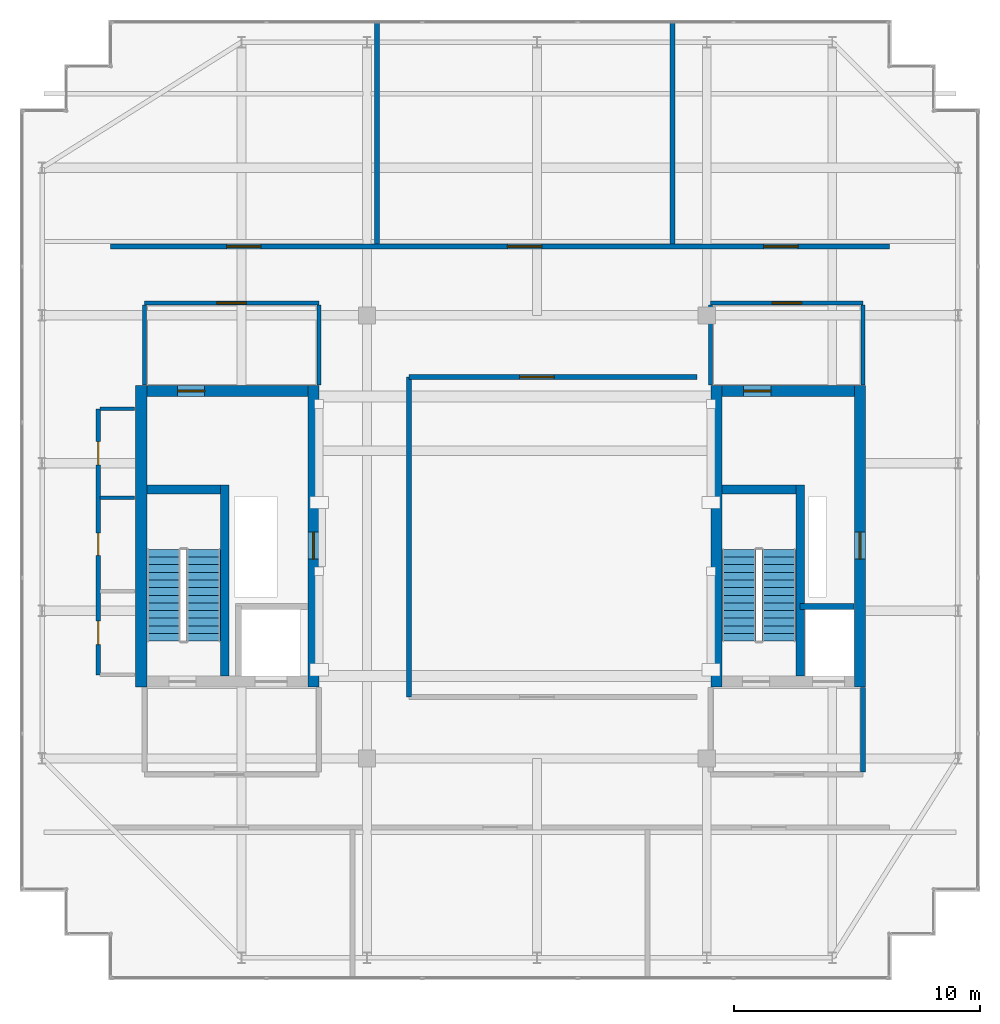
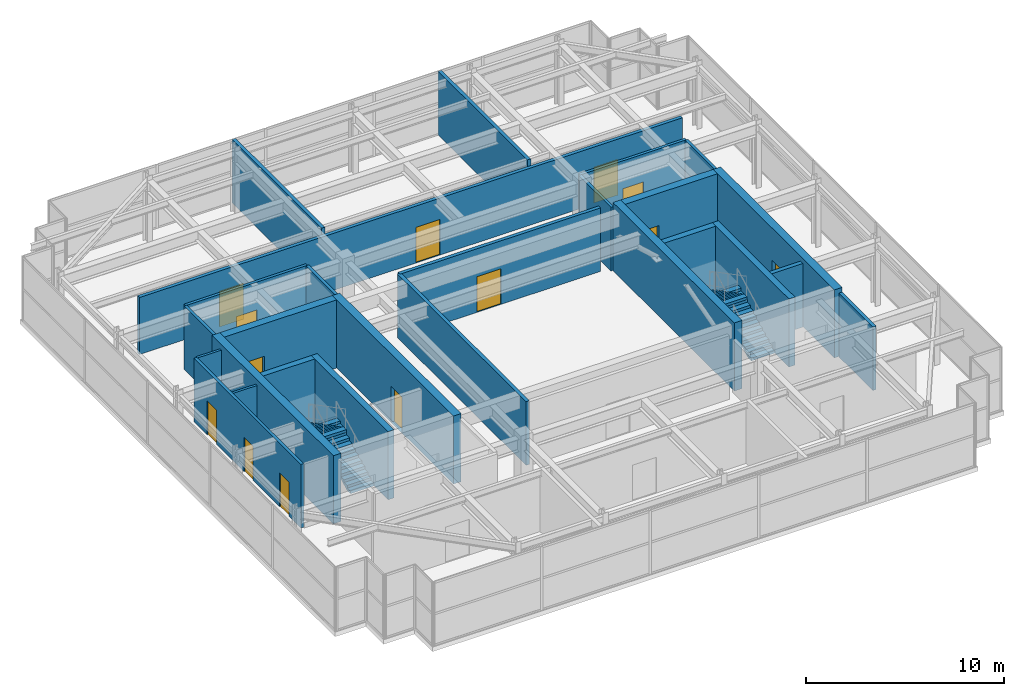
# One storey, part 31 of 32: 26 walls, 13 doors, 4 stair flights, 13 openings, 2 elements without a shape of their own.
"""IFC4 building model written with IfcOpenShell, lengths in metres."""

from ifc_helpers import new_model, si_unit, direction, frame, frame_2d, origin, place, context, subcontext, project, spatial, polyline, rectangle, outline, extrude, source, transform, mapped, material, layer, layer_set, type_object, element, fill, aggregate, save


model = new_model("IFC4")

# Units and contexts
model_context = context("Model", 3, precision=1e-05, world=origin(), true_north=direction((0.0, 1.0)))
body_context = subcontext(model_context, "Body", "Model", "MODEL_VIEW")
ifc_project = project(units=[si_unit("LENGTHUNIT", "METRE"), si_unit("AREAUNIT", "SQUARE_METRE"), si_unit("VOLUMEUNIT", "CUBIC_METRE"), si_unit("PLANEANGLEUNIT", "RADIAN"), si_unit("MASSUNIT", "GRAM", prefix="KILO")], contexts=[model_context])

# Site, building, storey
site_placement = place(None, origin())
site = spatial("IfcSite", under=ifc_project, at=site_placement, CompositionType="ELEMENT")
building_placement = place(site_placement, origin())
building = spatial("IfcBuilding", under=site, at=building_placement, Name="Khoralis Quay Care Tower", CompositionType="ELEMENT")
storey_placement = place(building_placement, frame((0.0, 0.0, 297.89990234375)))
storey = spatial("IfcBuildingStorey", under=building, at=storey_placement, Name="L78", CompositionType="ELEMENT", Elevation=297.89990234375)

# Wall
ifc_material_1 = material(Name="Gypsum plasterboard on acoustic metal stud")
ifc_layer_1 = layer(ifc_material_1, 0.199951171875)
ifc_layer_set_1 = layer_set([ifc_layer_1], Name="Gypsum plasterboard on acoustic metal stud")
wall_type_1 = type_object("IfcWallType", Name="WL-COMP-200", PredefinedType="PARTITIONING", material=ifc_layer_set_1)
wall_1_placement = place(storey_placement, frame((37.25, 11.445068359375, 0.0), z_axis=(0.0, 0.0, 1.0), x_axis=(0.0, 1.0, 0.0)))
element("IfcWall", 1, at=wall_1_placement, inside=storey, type_object=wall_type_1, Name="L78 East Firefighting Lobby East Wall", PredefinedType="PARTITIONING", context=body_context, shape_type="SweptSolid", body=[
    extrude(rectangle(XDim=3.434814453125, YDim=0.199951171875, at=frame_2d((1.71728515625, 0.0))), origin(), (0.0, 0.0, 1.0), 3.920166015625),
])

# Wall, openings, doors
wall_2_placement = place(storey_placement, frame((6.679931640625, 32.800048828125, 0.0), z_axis=(0.0, 0.0, 1.0), x_axis=(1.0, 0.0, 0.0)))
wall_2 = element("IfcWall", 2, at=wall_2_placement, inside=storey, type_object=wall_type_1, Name="L78 Plant Corridor North Wall", PredefinedType="PARTITIONING", context=body_context, shape_type="SweptSolid", body=[
    extrude(rectangle(XDim=31.64013671875, YDim=0.199951171875, at=frame_2d((15.820068359375, 0.0))), origin(), (0.0, 0.0, 1.0), 3.51318359375),
])
opening_1_placement = place(wall_2_placement, frame((4.7099609375, 0.0, 0.0)))
opening_1 = element("IfcOpeningElement", 3, at=opening_1_placement, cuts=wall_2, Name="Opening PD1", PredefinedType="OPENING", context=body_context, shape_type="SweptSolid", body=[
    extrude(rectangle(XDim=1.39990234375, YDim=2.199951171875, at=frame_2d((0.699951171875, 1.10009765625))), frame((0.0, 0.10986328125, 0.0), z_axis=(0.0, -1.0, 0.0), x_axis=(1.0, 0.0, 0.0)), (0.0, 0.0, 1.0), 0.219970703125),
])
opening_2_placement = place(wall_2_placement, frame((16.1201171875, 0.0, 0.0)))
opening_2 = element("IfcOpeningElement", 4, at=opening_2_placement, cuts=wall_2, Name="Opening PD1", PredefinedType="OPENING", context=body_context, shape_type="SweptSolid", body=[
    extrude(rectangle(XDim=1.39990234375, YDim=2.199951171875, at=frame_2d((0.699951171875, 1.10009765625))), frame((0.0, 0.10986328125, 0.0), z_axis=(0.0, -1.0, 0.0), x_axis=(1.0, 0.0, 0.0)), (0.0, 0.0, 1.0), 0.219970703125),
])
opening_3_placement = place(wall_2_placement, frame((26.530029296875, 0.0, 0.0)))
opening_3 = element("IfcOpeningElement", 5, at=opening_3_placement, cuts=wall_2, Name="Opening PD1", PredefinedType="OPENING", context=body_context, shape_type="SweptSolid", body=[
    extrude(rectangle(XDim=1.39990234375, YDim=2.199951171875, at=frame_2d((0.699951171875, 1.10009765625))), frame((0.0, 0.10986328125, 0.0), z_axis=(0.0, -1.0, 0.0), x_axis=(1.0, 0.0, 0.0)), (0.0, 0.0, 1.0), 0.219970703125),
])
ifc_material_2 = material(Name="Fire-rated painted steel", Category="steel")
door_type_1 = type_object("IfcDoorType", Name="DR-PLANT-1400X2200", OperationType="NOTDEFINED", PredefinedType="DOOR", material=ifc_material_2)
shared_shape_1 = source(origin(), body_context, "Body", "SweptSolid", [
    extrude(rectangle(XDim=1.39990234375, YDim=2.199951171875, at=frame_2d((0.699951171875, 1.10009765625))), frame((0.0, 0.02490234375, 0.0), z_axis=(0.0, -1.0, 0.0), x_axis=(1.0, 0.0, 0.0)), (0.0, 0.0, 1.0), 0.050048828125),
])
door_1_placement = place(opening_1_placement, origin())
door_1 = element("IfcDoor", 6, at=door_1_placement, inside=storey, type_object=door_type_1, Name="L78 Lantern Lighting Maintenance Gallery Plant Door", OperationType="DOUBLE_DOOR_SINGLE_SWING", OverallHeight=2.199951171875, OverallWidth=1.39990234375, PredefinedType="DOOR", context=body_context, shape_type="MappedRepresentation", body=[
    mapped(shared_shape_1, transform((0.0, 0.0, 0.0), scale=1.0)),
])
fill(opening_1, door_1)
door_2_placement = place(opening_2_placement, origin())
door_2 = element("IfcDoor", 7, at=door_2_placement, inside=storey, type_object=door_type_1, Name="L78 Smoke Extract Fan Plant Plant Door", OperationType="DOUBLE_DOOR_SINGLE_SWING", OverallHeight=2.199951171875, OverallWidth=1.39990234375, PredefinedType="DOOR", context=body_context, shape_type="MappedRepresentation", body=[
    mapped(shared_shape_1, transform((0.0, 0.0, 0.0), scale=1.0)),
])
fill(opening_2, door_2)
door_3_placement = place(opening_3_placement, origin())
door_3 = element("IfcDoor", 8, at=door_3_placement, inside=storey, type_object=door_type_1, Name="L78 Tuned Liquid Damper Hall Plant Door", OperationType="DOUBLE_DOOR_SINGLE_SWING", OverallHeight=2.199951171875, OverallWidth=1.39990234375, PredefinedType="DOOR", context=body_context, shape_type="MappedRepresentation", body=[
    mapped(shared_shape_1, transform((0.0, 0.0, 0.0), scale=1.0)),
])
fill(opening_3, door_3)

# Wall, opening, door
wall_3_placement = place(storey_placement, frame((18.800048828125, 27.5, 0.0), z_axis=(0.0, 0.0, 1.0), x_axis=(1.0, 0.0, 0.0)))
wall_3 = element("IfcWall", 9, at=wall_3_placement, inside=storey, type_object=wall_type_1, Name="L78 Central Plant North Wall", PredefinedType="PARTITIONING", context=body_context, shape_type="SweptSolid", body=[
    extrude(rectangle(XDim=11.699951171875, YDim=0.199951171875, at=frame_2d((5.85009765625, 0.0))), origin(), (0.0, 0.0, 1.0), 3.920166015625),
])
opening_4_placement = place(wall_3_placement, frame((4.5, 0.0, 0.0)))
opening_4 = element("IfcOpeningElement", 10, at=opening_4_placement, cuts=wall_3, Name="Opening PD1", PredefinedType="OPENING", context=body_context, shape_type="SweptSolid", body=[
    extrude(rectangle(XDim=1.39990234375, YDim=2.199951171875, at=frame_2d((0.699951171875, 1.10009765625))), frame((0.0, 0.10986328125, 0.0), z_axis=(0.0, -1.0, 0.0), x_axis=(1.0, 0.0, 0.0)), (0.0, 0.0, 1.0), 0.219970703125),
])
door_4_placement = place(opening_4_placement, frame((1.39990234375, 0.0, 0.0), z_axis=(0.0, 0.0, 1.0), x_axis=(-1.0, 0.0, 0.0)))
door_4 = element("IfcDoor", 11, at=door_4_placement, inside=storey, type_object=door_type_1, Name="L78 Central Plant North Door", OperationType="DOUBLE_DOOR_SINGLE_SWING", OverallHeight=2.199951171875, OverallWidth=1.39990234375, PredefinedType="DOOR", context=body_context, shape_type="MappedRepresentation", body=[
    mapped(shared_shape_1, transform((0.0, 0.0, 0.0), scale=1.0)),
])
fill(opening_4, door_4)

# Walls
for number, where, z_axis, x_axis, name in (
    (12, (17.5, 32.89501953125, 0.0), (0.0, 0.0, 1.0), (0.0, 1.0, 0.0), "L78 North Plant Divider 1"),
    (13, (29.5, 32.89501953125, 0.0), (0.0, 0.0, 1.0), (0.0, 1.0, 0.0), "L78 North Plant Divider 2"),
):
    element("IfcWall", number, at=place(storey_placement, frame(where, z_axis=z_axis, x_axis=x_axis)), inside=storey, type_object=wall_type_1, Name=name, PredefinedType="PARTITIONING", context=body_context, shape_type="SweptSolid", body=[
        extrude(rectangle(XDim=9.02001953125, YDim=0.199951171875, at=frame_2d((4.510009765625, 0.0))), origin(), (0.0, 0.0, 1.0), 3.920166015625),
    ])
wall_4_placement = place(storey_placement, frame((18.800048828125, 14.5, 0.0), z_axis=(0.0, 0.0, 1.0), x_axis=(0.0, 1.0, 0.0)))
element("IfcWall", 14, at=wall_4_placement, inside=storey, type_object=wall_type_1, Name="L78 Central Plant West Corridor Wall", PredefinedType="PARTITIONING", context=body_context, shape_type="SweptSolid", body=[
    extrude(rectangle(XDim=13.0, YDim=0.199951171875, at=frame_2d((6.5, 0.0))), origin(), (0.0, 0.0, 1.0), 3.920166015625),
])
ifc_material_3 = material(Name="Concrete C50/60", Category="concrete")
ifc_layer_2 = layer(ifc_material_3, 0.449951171875)
ifc_layer_set_2 = layer_set([ifc_layer_2], Name="Concrete C50/60")
wall_type_2 = type_object("IfcWallType", Name="WL-CORE-450", PredefinedType="SHEAR", material=ifc_layer_set_2)
wall_5_placement = place(storey_placement, frame((7.925048828125, 14.89990234375, 0.0), z_axis=(0.0, 0.0, 1.0), x_axis=(0.0, 1.0, 0.0)))
element("IfcWall", 15, at=wall_5_placement, inside=storey, type_object=wall_type_2, Name="L78 WCORE West Shear Wall", PredefinedType="SHEAR", context=body_context, shape_type="SweptSolid", body=[
    extrude(rectangle(XDim=12.25, YDim=0.449951171875, at=frame_2d((6.125, 0.0))), origin(), (0.0, 0.0, 1.0), 4.2001953125),
])

# Wall, opening, door
wall_6_placement = place(storey_placement, frame((14.925048828125, 14.89990234375, 0.0), z_axis=(0.0, 0.0, 1.0), x_axis=(0.0, 1.0, 0.0)))
wall_6 = element("IfcWall", 16, at=wall_6_placement, inside=storey, type_object=wall_type_2, Name="L78 WCORE East Shear Wall", PredefinedType="SHEAR", context=body_context, shape_type="SweptSolid", body=[
    extrude(rectangle(XDim=12.25, YDim=0.449951171875, at=frame_2d((6.125, 0.0))), origin(), (0.0, 0.0, 1.0), 4.2001953125),
])
opening_5_placement = place(wall_6_placement, frame((5.199951171875, 0.0, 0.0)))
opening_5 = element("IfcOpeningElement", 17, at=opening_5_placement, cuts=wall_6, Name="Opening SD1", PredefinedType="OPENING", context=body_context, shape_type="SweptSolid", body=[
    extrude(rectangle(XDim=1.10009765625, YDim=2.199951171875, at=frame_2d((0.550048828125, 1.10009765625))), frame((0.0, 0.23486328125, 0.0), z_axis=(0.0, -1.0, 0.0), x_axis=(1.0, 0.0, 0.0)), (0.0, 0.0, 1.0), 0.469970703125),
])
door_type_2 = type_object("IfcDoorType", Name="DR-STAIR-1100X2200", OperationType="NOTDEFINED", PredefinedType="DOOR", material=ifc_material_2)
shared_shape_2 = source(origin(), body_context, "Body", "SweptSolid", [
    extrude(rectangle(XDim=1.10009765625, YDim=2.199951171875, at=frame_2d((0.550048828125, 1.10009765625))), frame((0.0, 0.02490234375, 0.0), z_axis=(0.0, -1.0, 0.0), x_axis=(1.0, 0.0, 0.0)), (0.0, 0.0, 1.0), 0.050048828125),
])
door_5_placement = place(opening_5_placement, origin())
door_5 = element("IfcDoor", 18, at=door_5_placement, inside=storey, type_object=door_type_2, Name="L78 West MEP Riser Door", OperationType="SINGLE_SWING_RIGHT", OverallHeight=2.199951171875, OverallWidth=1.10009765625, PredefinedType="DOOR", context=body_context, shape_type="MappedRepresentation", body=[
    mapped(shared_shape_2, transform((0.0, 0.0, 0.0), scale=1.0)),
])
fill(opening_5, door_5)

wall_7_placement = place(storey_placement, frame((8.14990234375, 26.925048828125, 0.0), z_axis=(0.0, 0.0, 1.0), x_axis=(1.0, 0.0, 0.0)))
wall_7 = element("IfcWall", 19, at=wall_7_placement, inside=storey, type_object=wall_type_2, Name="L78 WCORE North Shear Wall", PredefinedType="SHEAR", context=body_context, shape_type="SweptSolid", body=[
    extrude(rectangle(XDim=6.550048828125, YDim=0.449951171875, at=frame_2d((3.27490234375, 0.0))), origin(), (0.0, 0.0, 1.0), 4.2001953125),
])
opening_6_placement = place(wall_7_placement, frame((1.25, 0.0, 0.0)))
opening_6 = element("IfcOpeningElement", 20, at=opening_6_placement, cuts=wall_7, Name="Opening SD1", PredefinedType="OPENING", context=body_context, shape_type="SweptSolid", body=[
    extrude(rectangle(XDim=1.10009765625, YDim=2.199951171875, at=frame_2d((0.550048828125, 1.10009765625))), frame((0.0, 0.23486328125, 0.0), z_axis=(0.0, -1.0, 0.0), x_axis=(1.0, 0.0, 0.0)), (0.0, 0.0, 1.0), 0.469970703125),
])
door_6_placement = place(opening_6_placement, frame((1.10009765625, 0.0, 0.0), z_axis=(0.0, 0.0, 1.0), x_axis=(-1.0, 0.0, 0.0)))
door_6 = element("IfcDoor", 21, at=door_6_placement, inside=storey, type_object=door_type_2, Name="L78 West Machine Room Door", OperationType="SINGLE_SWING_RIGHT", OverallHeight=2.199951171875, OverallWidth=1.10009765625, PredefinedType="DOOR", context=body_context, shape_type="MappedRepresentation", body=[
    mapped(shared_shape_2, transform((0.0, 0.0, 0.0), scale=1.0)),
])
fill(opening_6, door_6)

# Wall
wall_8_placement = place(storey_placement, frame((31.294921875, 14.89990234375, 0.0), z_axis=(0.0, 0.0, 1.0), x_axis=(0.0, 1.0, 0.0)))
element("IfcWall", 22, at=wall_8_placement, inside=storey, type_object=wall_type_2, Name="L78 ECORE West Shear Wall", PredefinedType="SHEAR", context=body_context, shape_type="SweptSolid", body=[
    extrude(rectangle(XDim=12.25, YDim=0.449951171875, at=frame_2d((6.125, 0.0))), origin(), (0.0, 0.0, 1.0), 4.2001953125),
])

# Wall, opening, door
wall_9_placement = place(storey_placement, frame((37.125, 14.89990234375, 0.0), z_axis=(0.0, 0.0, 1.0), x_axis=(0.0, 1.0, 0.0)))
wall_9 = element("IfcWall", 23, at=wall_9_placement, inside=storey, type_object=wall_type_2, Name="L78 ECORE East Shear Wall", PredefinedType="SHEAR", context=body_context, shape_type="SweptSolid", body=[
    extrude(rectangle(XDim=12.25, YDim=0.449951171875, at=frame_2d((6.125, 0.0))), origin(), (0.0, 0.0, 1.0), 4.2001953125),
])
opening_7_placement = place(wall_9_placement, frame((5.199951171875, 0.0, 0.0)))
opening_7 = element("IfcOpeningElement", 24, at=opening_7_placement, cuts=wall_9, Name="Opening SD1", PredefinedType="OPENING", context=body_context, shape_type="SweptSolid", body=[
    extrude(rectangle(XDim=1.10009765625, YDim=2.199951171875, at=frame_2d((0.550048828125, 1.10009765625))), frame((0.0, 0.23486328125, 0.0), z_axis=(0.0, -1.0, 0.0), x_axis=(1.0, 0.0, 0.0)), (0.0, 0.0, 1.0), 0.469970703125),
])
door_7_placement = place(opening_7_placement, frame((1.10009765625, 0.0, 0.0), z_axis=(0.0, 0.0, 1.0), x_axis=(-1.0, 0.0, 0.0)))
door_7 = element("IfcDoor", 25, at=door_7_placement, inside=storey, type_object=door_type_2, Name="L78 East MEP Riser Door", OperationType="SINGLE_SWING_LEFT", OverallHeight=2.199951171875, OverallWidth=1.10009765625, PredefinedType="DOOR", context=body_context, shape_type="MappedRepresentation", body=[
    mapped(shared_shape_2, transform((0.0, 0.0, 0.0), scale=1.0)),
])
fill(opening_7, door_7)

wall_10_placement = place(storey_placement, frame((31.52001953125, 26.925048828125, 0.0), z_axis=(0.0, 0.0, 1.0), x_axis=(1.0, 0.0, 0.0)))
wall_10 = element("IfcWall", 26, at=wall_10_placement, inside=storey, type_object=wall_type_2, Name="L78 ECORE North Shear Wall", PredefinedType="SHEAR", context=body_context, shape_type="SweptSolid", body=[
    extrude(rectangle(XDim=5.3798828125, YDim=0.449951171875, at=frame_2d((2.68994140625, 0.0))), origin(), (0.0, 0.0, 1.0), 4.2001953125),
])
opening_8_placement = place(wall_10_placement, frame((0.8798828125, 0.0, 0.0)))
opening_8 = element("IfcOpeningElement", 27, at=opening_8_placement, cuts=wall_10, Name="Opening SD1", PredefinedType="OPENING", context=body_context, shape_type="SweptSolid", body=[
    extrude(rectangle(XDim=1.10009765625, YDim=2.199951171875, at=frame_2d((0.550048828125, 1.10009765625))), frame((0.0, 0.23486328125, 0.0), z_axis=(0.0, -1.0, 0.0), x_axis=(1.0, 0.0, 0.0)), (0.0, 0.0, 1.0), 0.469970703125),
])
door_8_placement = place(opening_8_placement, frame((1.10009765625, 0.0, 0.0), z_axis=(0.0, 0.0, 1.0), x_axis=(-1.0, 0.0, 0.0)))
door_8 = element("IfcDoor", 28, at=door_8_placement, inside=storey, type_object=door_type_2, Name="L78 East Machine Room Door", OperationType="SINGLE_SWING_LEFT", OverallHeight=2.199951171875, OverallWidth=1.10009765625, PredefinedType="DOOR", context=body_context, shape_type="MappedRepresentation", body=[
    mapped(shared_shape_2, transform((0.0, 0.0, 0.0), scale=1.0)),
])
fill(opening_8, door_8)

ifc_layer_3 = layer(ifc_material_1, 0.1650390625)
ifc_layer_set_3 = layer_set([ifc_layer_3], Name="Gypsum plasterboard on acoustic metal stud")
wall_type_3 = type_object("IfcWallType", Name="WL-CORR-165", PredefinedType="PARTITIONING", material=ifc_layer_set_3)
wall_11_placement = place(storey_placement, frame((8.050048828125, 30.5, 0.0), z_axis=(0.0, 0.0, 1.0), x_axis=(1.0, 0.0, 0.0)))
wall_11 = element("IfcWall", 29, at=wall_11_placement, inside=storey, type_object=wall_type_3, Name="L78 West Lift Lobby North Wall", PredefinedType="PARTITIONING", context=body_context, shape_type="SweptSolid", body=[
    extrude(rectangle(XDim=7.099853515625, YDim=0.1650390625, at=frame_2d((3.5498046875, 0.0))), origin(), (0.0, 0.0, 1.0), 3.920166015625),
])
opening_9_placement = place(wall_11_placement, frame((2.949951171875, 0.0, 0.0)))
opening_9 = element("IfcOpeningElement", 30, at=opening_9_placement, cuts=wall_11, Name="Opening FD1", PredefinedType="OPENING", context=body_context, shape_type="SweptSolid", body=[
    extrude(rectangle(XDim=1.199951171875, YDim=2.199951171875, at=frame_2d((0.60009765625, 1.10009765625))), frame((0.0, 0.092529296875, 0.0), z_axis=(0.0, -1.0, 0.0), x_axis=(1.0, 0.0, 0.0)), (0.0, 0.0, 1.0), 0.18505859375),
])
door_type_3 = type_object("IfcDoorType", Name="DR-FFL-1200X2200", OperationType="NOTDEFINED", PredefinedType="DOOR", material=ifc_material_2)
shared_shape_3 = source(origin(), body_context, "Body", "SweptSolid", [
    extrude(rectangle(XDim=1.199951171875, YDim=2.199951171875, at=frame_2d((0.60009765625, 1.10009765625))), frame((0.0, 0.02490234375, 0.0), z_axis=(0.0, -1.0, 0.0), x_axis=(1.0, 0.0, 0.0)), (0.0, 0.0, 1.0), 0.050048828125),
])
door_9_placement = place(opening_9_placement, origin())
door_9 = element("IfcDoor", 31, at=door_9_placement, inside=storey, type_object=door_type_3, Name="L78 West Lift Lobby Double Door", OperationType="DOUBLE_DOOR_SINGLE_SWING", OverallHeight=2.199951171875, OverallWidth=1.199951171875, PredefinedType="DOOR", context=body_context, shape_type="MappedRepresentation", body=[
    mapped(shared_shape_3, transform((0.0, 0.0, 0.0), scale=1.0)),
])
fill(opening_9, door_9)

# Walls
for number, where, z_axis, x_axis, name in (
    (32, (8.050048828125, 27.169921875, 0.0), (0.0, 0.0, 1.0), (0.0, 1.0, 0.0), "L78 West Lift Lobby West Wall"),
    (33, (15.14990234375, 27.169921875, 0.0), (0.0, 0.0, 1.0), (0.0, 1.0, 0.0), "L78 West Lift Lobby East Wall"),
):
    element("IfcWall", number, at=place(storey_placement, frame(where, z_axis=z_axis, x_axis=x_axis)), inside=storey, type_object=wall_type_3, Name=name, PredefinedType="PARTITIONING", context=body_context, shape_type="SweptSolid", body=[
        extrude(rectangle(XDim=3.252685546875, YDim=0.1650390625, at=frame_2d((1.62646484375, 0.0))), origin(), (0.0, 0.0, 1.0), 3.920166015625),
    ])

# Wall, opening, door
wall_12_placement = place(storey_placement, frame((31.050048828125, 30.5, 0.0), z_axis=(0.0, 0.0, 1.0), x_axis=(1.0, 0.0, 0.0)))
wall_12 = element("IfcWall", 34, at=wall_12_placement, inside=storey, type_object=wall_type_3, Name="L78 East Lift Lobby North Wall", PredefinedType="PARTITIONING", context=body_context, shape_type="SweptSolid", body=[
    extrude(rectangle(XDim=6.199951171875, YDim=0.1650390625, at=frame_2d((3.10009765625, 0.0))), origin(), (0.0, 0.0, 1.0), 3.920166015625),
])
opening_10_placement = place(wall_12_placement, frame((2.5, 0.0, 0.0)))
opening_10 = element("IfcOpeningElement", 35, at=opening_10_placement, cuts=wall_12, Name="Opening FD1", PredefinedType="OPENING", context=body_context, shape_type="SweptSolid", body=[
    extrude(rectangle(XDim=1.199951171875, YDim=2.199951171875, at=frame_2d((0.60009765625, 1.10009765625))), frame((0.0, 0.092529296875, 0.0), z_axis=(0.0, -1.0, 0.0), x_axis=(1.0, 0.0, 0.0)), (0.0, 0.0, 1.0), 0.18505859375),
])
door_10_placement = place(opening_10_placement, origin())
door_10 = element("IfcDoor", 36, at=door_10_placement, inside=storey, type_object=door_type_3, Name="L78 East Lift Lobby Double Door", OperationType="DOUBLE_DOOR_SINGLE_SWING", OverallHeight=2.199951171875, OverallWidth=1.199951171875, PredefinedType="DOOR", context=body_context, shape_type="MappedRepresentation", body=[
    mapped(shared_shape_3, transform((0.0, 0.0, 0.0), scale=1.0)),
])
fill(opening_10, door_10)

# Walls
for number, where, z_axis, x_axis, name in (
    (37, (31.050048828125, 27.169921875, 0.0), (0.0, 0.0, 1.0), (0.0, 1.0, 0.0), "L78 East Lift Lobby West Wall"),
    (38, (37.25, 27.169921875, 0.0), (0.0, 0.0, 1.0), (0.0, 1.0, 0.0), "L78 East Lift Lobby East Wall"),
):
    element("IfcWall", number, at=place(storey_placement, frame(where, z_axis=z_axis, x_axis=x_axis)), inside=storey, type_object=wall_type_3, Name=name, PredefinedType="PARTITIONING", context=body_context, shape_type="SweptSolid", body=[
        extrude(rectangle(XDim=3.252685546875, YDim=0.1650390625, at=frame_2d((1.62646484375, 0.0))), origin(), (0.0, 0.0, 1.0), 3.920166015625),
    ])

# Wall, openings, doors
wall_13_placement = place(storey_placement, frame((6.179931640625, 15.39990234375, 0.0), z_axis=(0.0, 0.0, 1.0), x_axis=(0.0, 1.0, 0.0)))
wall_13 = element("IfcWall", 39, at=wall_13_placement, inside=storey, type_object=wall_type_3, Name="L78 West Core Service Flank Wall", PredefinedType="PARTITIONING", context=body_context, shape_type="SweptSolid", body=[
    extrude(rectangle(XDim=10.800048828125, YDim=0.1650390625, at=frame_2d((5.39990234375, 0.0))), origin(), (0.0, 0.0, 1.0), 3.920166015625),
])
opening_11_placement = place(wall_13_placement, frame((1.22509765625, 0.0, 0.0)))
opening_11 = element("IfcOpeningElement", 40, at=opening_11_placement, cuts=wall_13, Name="Opening ID1", PredefinedType="OPENING", context=body_context, shape_type="SweptSolid", body=[
    extrude(rectangle(XDim=0.949951171875, YDim=2.10009765625, at=frame_2d((0.47509765625, 1.050048828125))), frame((0.0, 0.092529296875, 0.0), z_axis=(0.0, -1.0, 0.0), x_axis=(1.0, 0.0, 0.0)), (0.0, 0.0, 1.0), 0.18505859375),
])
opening_12_placement = place(wall_13_placement, frame((4.85009765625, 0.0, 0.0)))
opening_12 = element("IfcOpeningElement", 41, at=opening_12_placement, cuts=wall_13, Name="Opening WD1", PredefinedType="OPENING", context=body_context, shape_type="SweptSolid", body=[
    extrude(rectangle(XDim=0.89990234375, YDim=2.10009765625, at=frame_2d((0.449951171875, 1.050048828125))), frame((0.0, 0.092529296875, 0.0), z_axis=(0.0, -1.0, 0.0), x_axis=(1.0, 0.0, 0.0)), (0.0, 0.0, 1.0), 0.18505859375),
])
opening_13_placement = place(wall_13_placement, frame((8.52490234375, 0.0, 0.0)))
opening_13 = element("IfcOpeningElement", 42, at=opening_13_placement, cuts=wall_13, Name="Opening ID1", PredefinedType="OPENING", context=body_context, shape_type="SweptSolid", body=[
    extrude(rectangle(XDim=0.949951171875, YDim=2.10009765625, at=frame_2d((0.47509765625, 1.050048828125))), frame((0.0, 0.092529296875, 0.0), z_axis=(0.0, -1.0, 0.0), x_axis=(1.0, 0.0, 0.0)), (0.0, 0.0, 1.0), 0.18505859375),
])
ifc_material_4 = material(Name="Acoustic hardwood timber", Category="wood")
door_type_4 = type_object("IfcDoorType", Name="DR-BATH-900X2100", OperationType="NOTDEFINED", PredefinedType="DOOR", material=ifc_material_4)
shared_shape_4 = source(origin(), body_context, "Body", "SweptSolid", [
    extrude(rectangle(XDim=0.89990234375, YDim=2.10009765625, at=frame_2d((0.449951171875, 1.050048828125))), frame((0.0, 0.02490234375, 0.0), z_axis=(0.0, -1.0, 0.0), x_axis=(1.0, 0.0, 0.0)), (0.0, 0.0, 1.0), 0.050048828125),
])
door_11_placement = place(opening_12_placement, frame((0.89990234375, 0.0, 0.0), z_axis=(0.0, 0.0, 1.0), x_axis=(-1.0, 0.0, 0.0)))
door_11 = element("IfcDoor", 43, at=door_11_placement, inside=storey, type_object=door_type_4, Name="L78 Public Accessible WC Door", OperationType="SINGLE_SWING_RIGHT", OverallHeight=2.10009765625, OverallWidth=0.89990234375, PredefinedType="DOOR", context=body_context, shape_type="MappedRepresentation", body=[
    mapped(shared_shape_4, transform((0.0, 0.0, 0.0), scale=1.0)),
])
fill(opening_12, door_11)
door_type_5 = type_object("IfcDoorType", Name="DR-ROOM-950X2100", OperationType="NOTDEFINED", PredefinedType="DOOR", material=ifc_material_4)
shared_shape_5 = source(origin(), body_context, "Body", "SweptSolid", [
    extrude(rectangle(XDim=0.949951171875, YDim=2.10009765625, at=frame_2d((0.47509765625, 1.050048828125))), frame((0.0, 0.02490234375, 0.0), z_axis=(0.0, -1.0, 0.0), x_axis=(1.0, 0.0, 0.0)), (0.0, 0.0, 1.0), 0.050048828125),
])
door_12_placement = place(opening_11_placement, frame((0.949951171875, 0.0, 0.0), z_axis=(0.0, 0.0, 1.0), x_axis=(-1.0, 0.0, 0.0)))
door_12 = element("IfcDoor", 44, at=door_12_placement, inside=storey, type_object=door_type_5, Name="L78 Clean Utility Store Door", OperationType="SINGLE_SWING_LEFT", OverallHeight=2.10009765625, OverallWidth=0.949951171875, PredefinedType="DOOR", context=body_context, shape_type="MappedRepresentation", body=[
    mapped(shared_shape_5, transform((0.0, 0.0, 0.0), scale=1.0)),
])
fill(opening_11, door_12)
door_13_placement = place(opening_13_placement, frame((0.949951171875, 0.0, 0.0), z_axis=(0.0, 0.0, 1.0), x_axis=(-1.0, 0.0, 0.0)))
door_13 = element("IfcDoor", 45, at=door_13_placement, inside=storey, type_object=door_type_5, Name="L78 Electrical Switchboard Room Door", OperationType="SINGLE_SWING_LEFT", OverallHeight=2.10009765625, OverallWidth=0.949951171875, PredefinedType="DOOR", context=body_context, shape_type="MappedRepresentation", body=[
    mapped(shared_shape_5, transform((0.0, 0.0, 0.0), scale=1.0)),
])
fill(opening_13, door_13)

# Walls
ifc_material_5 = material(Name="Concrete C40/50", Category="concrete")
ifc_layer_4 = layer(ifc_material_5, 0.35009765625)
ifc_layer_set_4 = layer_set([ifc_layer_4], Name="Concrete C40/50")
wall_type_4 = type_object("IfcWallType", Name="WL-SC-CORE-350", PredefinedType="SHEAR", material=ifc_layer_set_4)
wall_14_placement = place(storey_placement, frame((11.324951171875, 15.35009765625, 0.0), z_axis=(0.0, 0.0, 1.0), x_axis=(0.0, 1.0, 0.0)))
element("IfcWall", 46, at=wall_14_placement, inside=storey, type_object=wall_type_4, Name="L78 Stair ST-T1 Shear Baffle Wall East", PredefinedType="SHEAR", context=body_context, shape_type="SweptSolid", body=[
    extrude(rectangle(XDim=7.75, YDim=0.35009765625, at=frame_2d((3.875, 0.0))), origin(), (0.0, 0.0, 1.0), 4.2001953125),
])
wall_15_placement = place(storey_placement, frame((8.14990234375, 22.925048828125, 0.0), z_axis=(0.0, 0.0, 1.0), x_axis=(1.0, 0.0, 0.0)))
element("IfcWall", 47, at=wall_15_placement, inside=storey, type_object=wall_type_4, Name="L78 Stair ST-T1 Shear Baffle Wall North", PredefinedType="SHEAR", context=body_context, shape_type="SweptSolid", body=[
    extrude(rectangle(XDim=3.0, YDim=0.35009765625, at=frame_2d((1.5, 0.0))), origin(), (0.0, 0.0, 1.0), 4.2001953125),
])
wall_16_placement = place(storey_placement, frame((34.695068359375, 15.35009765625, 0.0), z_axis=(0.0, 0.0, 1.0), x_axis=(0.0, 1.0, 0.0)))
element("IfcWall", 48, at=wall_16_placement, inside=storey, type_object=wall_type_4, Name="L78 Stair ST-T2 Shear Baffle Wall East", PredefinedType="SHEAR", context=body_context, shape_type="SweptSolid", body=[
    extrude(rectangle(XDim=7.75, YDim=0.35009765625, at=frame_2d((3.875, 0.0))), origin(), (0.0, 0.0, 1.0), 4.2001953125),
])
wall_17_placement = place(storey_placement, frame((31.52001953125, 22.925048828125, 0.0), z_axis=(0.0, 0.0, 1.0), x_axis=(1.0, 0.0, 0.0)))
element("IfcWall", 49, at=wall_17_placement, inside=storey, type_object=wall_type_4, Name="L78 Stair ST-T2 Shear Baffle Wall North", PredefinedType="SHEAR", context=body_context, shape_type="SweptSolid", body=[
    extrude(rectangle(XDim=3.0, YDim=0.35009765625, at=frame_2d((1.5, 0.0))), origin(), (0.0, 0.0, 1.0), 4.2001953125),
])
ifc_layer_5 = layer(ifc_material_1, 0.239990234375)
ifc_layer_set_5 = layer_set([ifc_layer_5], Name="Gypsum plasterboard on acoustic metal stud")
wall_type_5 = type_object("IfcWallType", Name="WL-SHAFT-240", PredefinedType="PARTITIONING", material=ifc_layer_set_5)
wall_18_placement = place(storey_placement, frame((34.679931640625, 18.169921875, 0.0), z_axis=(0.0, 0.0, 1.0), x_axis=(1.0, 0.0, 0.0)))
element("IfcWall", 50, at=wall_18_placement, inside=storey, type_object=wall_type_5, Name="L78 FFL-2 Shaft Wall North", PredefinedType="PARTITIONING", context=body_context, shape_type="SweptSolid", body=[
    extrude(rectangle(XDim=2.199951171875, YDim=0.239990234375, at=frame_2d((1.10009765625, 0.0))), origin(), (0.0, 0.0, 1.0), 3.920166015625),
])
ifc_layer_6 = layer(ifc_material_1, 0.139892578125)
ifc_layer_set_6 = layer_set([ifc_layer_6], Name="Gypsum plasterboard on acoustic metal stud")
wall_type_6 = type_object("IfcWallType", Name="WL-UNIT-140", PredefinedType="PARTITIONING", material=ifc_layer_set_6)
for number, where, z_axis, x_axis, name in (
    (51, (6.257568359375, 26.199951171875, 0.0), (0.0, 0.0, 1.0), (1.0, 0.0, 0.0), "L78 West Flank North Cap"),
    (52, (6.257568359375, 22.60009765625, 0.0), (0.0, 0.0, 1.0), (1.0, 0.0, 0.0), "L78 West Flank Divider 2"),
):
    element("IfcWall", number, at=place(storey_placement, frame(where, z_axis=z_axis, x_axis=x_axis)), inside=storey, type_object=wall_type_6, Name=name, PredefinedType="PARTITIONING", context=body_context, shape_type="SweptSolid", body=[
        extrude(rectangle(XDim=1.40234375, YDim=0.139892578125, at=frame_2d((0.701171875, 0.0))), origin(), (0.0, 0.0, 1.0), 3.920166015625),
    ])

# Stair, stair flights
ifc_material_6 = material(Name="Precast concrete C45/55", Category="concrete")
stair_type = type_object("IfcStairType", Name="ST-TWR-DOGLEG-1400", PredefinedType="HALF_TURN_STAIR", material=ifc_material_6)
stair_1_placement = place(storey_placement, origin())
stair_1 = element("IfcStair", 53, at=stair_1_placement, inside=storey, type_object=stair_type, Name="L78 West Core Exit Stair ST-T1", PredefinedType="HALF_TURN_STAIR")
stair_flight_type = type_object("IfcStairFlightType", Name="SF-TWR-1400", PredefinedType="STRAIGHT", material=ifc_material_6)
shared_shape_6 = source(origin(), body_context, "Body", "SweptSolid", [
    extrude(outline(polyline([(0.0, 0.0), (0.0, 0.16162109375), (0.31005859375, 0.16162109375), (0.31005859375, 0.322998046875), (0.6201171875, 0.322998046875), (0.6201171875, 0.484619140625), (0.929931640625, 0.484619140625), (0.929931640625, 0.646240234375), (1.239990234375, 0.646240234375), (1.239990234375, 0.8076171875), (1.550048828125, 0.8076171875), (1.550048828125, 0.96923828125), (1.860107421875, 0.96923828125), (1.860107421875, 1.130859375), (2.169921875, 1.130859375), (2.169921875, 1.292236328125), (2.47998046875, 1.292236328125), (2.47998046875, 1.453857421875), (2.7900390625, 1.453857421875), (2.7900390625, 1.615478515625), (3.10009765625, 1.615478515625), (3.10009765625, 1.77685546875), (3.409912109375, 1.77685546875), (3.409912109375, 1.9384765625), (3.719970703125, 1.9384765625), (3.719970703125, 2.10009765625), (3.719970703125, 1.76953125), (0.324462890625, 0.0), (0.0, 0.0)])), frame((0.0, 0.68994140625, 0.0), z_axis=(0.0, -1.0, 0.0), x_axis=(1.0, 0.0, 0.0)), (0.0, 0.0, 1.0), 1.3798828125),
])
stair_flight_1_placement = place(storey_placement, frame((10.4599609375, 16.77001953125, 0.0), z_axis=(0.0, 0.0, 1.0), x_axis=(0.0, 1.0, 0.0)))
stair_flight_1 = element("IfcStairFlight", 54, at=stair_flight_1_placement, type_object=stair_flight_type, Name="ST-T1 flight 1", NumberOfRisers=13, NumberOfTreads=12, PredefinedType="STRAIGHT", RiserHeight=0.161538462, TreadLength=0.31, context=body_context, shape_type="MappedRepresentation", body=[
    mapped(shared_shape_6, transform((0.0, 0.0, 0.0), scale=1.0)),
])
stair_flight_2_placement = place(storey_placement, frame((8.840087890625, 20.489990234375, 2.10009765625), z_axis=(0.0, 0.0, 1.0), x_axis=(0.0, -1.0, 0.0)))
stair_flight_2 = element("IfcStairFlight", 55, at=stair_flight_2_placement, type_object=stair_flight_type, Name="ST-T1 flight 2", NumberOfRisers=13, NumberOfTreads=12, PredefinedType="STRAIGHT", RiserHeight=0.161538462, TreadLength=0.31, context=body_context, shape_type="MappedRepresentation", body=[
    mapped(shared_shape_6, transform((0.0, 0.0, 0.0), scale=1.0)),
])
aggregate(stair_1, [stair_flight_1, stair_flight_2])

stair_2_placement = place(storey_placement, origin())
stair_2 = element("IfcStair", 56, at=stair_2_placement, inside=storey, type_object=stair_type, Name="L78 East Core Exit Stair ST-T2", PredefinedType="HALF_TURN_STAIR")
stair_flight_3_placement = place(storey_placement, frame((33.830078125, 16.77001953125, 0.0), z_axis=(0.0, 0.0, 1.0), x_axis=(0.0, 1.0, 0.0)))
stair_flight_3 = element("IfcStairFlight", 57, at=stair_flight_3_placement, type_object=stair_flight_type, Name="ST-T2 flight 1", NumberOfRisers=13, NumberOfTreads=12, PredefinedType="STRAIGHT", RiserHeight=0.161538462, TreadLength=0.31, context=body_context, shape_type="MappedRepresentation", body=[
    mapped(shared_shape_6, transform((0.0, 0.0, 0.0), scale=1.0)),
])
stair_flight_4_placement = place(storey_placement, frame((32.2099609375, 20.489990234375, 2.10009765625), z_axis=(0.0, 0.0, 1.0), x_axis=(0.0, -1.0, 0.0)))
stair_flight_4 = element("IfcStairFlight", 58, at=stair_flight_4_placement, type_object=stair_flight_type, Name="ST-T2 flight 2", NumberOfRisers=13, NumberOfTreads=12, PredefinedType="STRAIGHT", RiserHeight=0.161538462, TreadLength=0.31, context=body_context, shape_type="MappedRepresentation", body=[
    mapped(shared_shape_6, transform((0.0, 0.0, 0.0), scale=1.0)),
])
aggregate(stair_2, [stair_flight_3, stair_flight_4])

save(model, "model.ifc")
